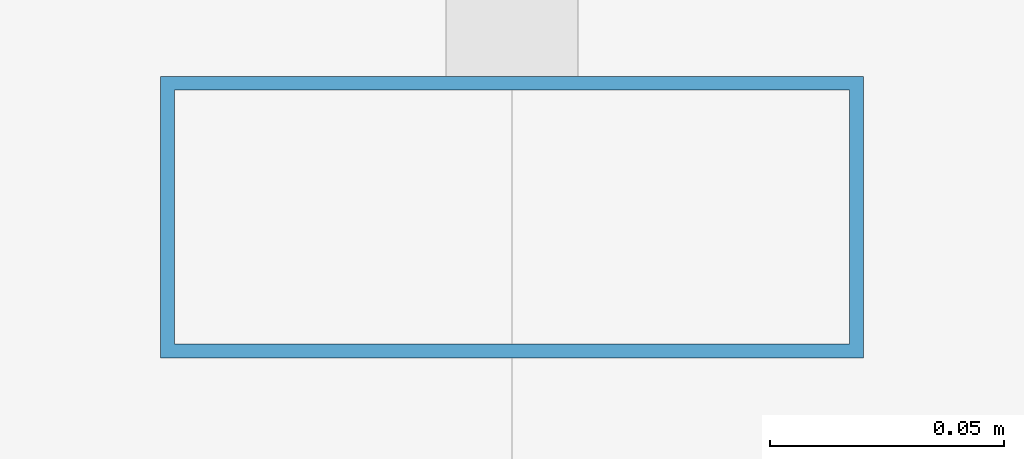
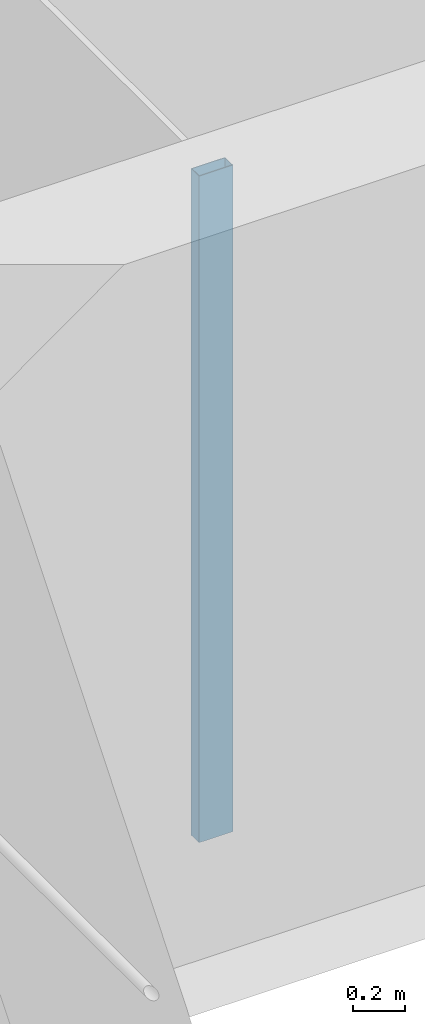
# One storey, part 11 of 40: 1 member, 1 element without a shape of its own.
"""IFC4 building model written with IfcOpenShell, lengths in metres."""

from ifc_helpers import new_model, si_unit, direction, frame, origin, origin_2d, place, context, subcontext, project, spatial, hollow_rectangle, extrude, material, material_profile, profile_set, type_object, element, aggregate, save


model = new_model("IFC4")

# Units and contexts
model_context = context("Model", 3, precision=1e-05, world=origin(), true_north=direction((0.0, 1.0)))
body_context = subcontext(model_context, "Body", "Model", "MODEL_VIEW")
ifc_project = project(units=[si_unit("LENGTHUNIT", "METRE"), si_unit("AREAUNIT", "SQUARE_METRE"), si_unit("VOLUMEUNIT", "CUBIC_METRE"), si_unit("PLANEANGLEUNIT", "RADIAN"), si_unit("MASSUNIT", "GRAM", prefix="KILO")], contexts=[model_context])

# Site, building, storey
site_placement = place(None, origin())
site = spatial("IfcSite", under=ifc_project, at=site_placement, CompositionType="ELEMENT")
building_placement = place(site_placement, origin())
building = spatial("IfcBuilding", under=site, at=building_placement, Name="Altepetl Exchange Towers", CompositionType="ELEMENT")
storey_placement = place(building_placement, frame((0.0, 0.0, 169.0)))
storey = spatial("IfcBuildingStorey", under=building, at=storey_placement, Name="L42", CompositionType="ELEMENT", Elevation=169.0)

# Curtain wall, member
ifc_material_1 = material(Name="Aluminium 6063-T6 glazing", Category="aluminium")
curtain_wall_type = type_object("IfcCurtainWallType", Name="Loggia glazing system", PredefinedType="NOTDEFINED", material=ifc_material_1)
curtain_wall_placement = place(storey_placement, origin())
curtain_wall = element("IfcCurtainWall", 1, at=curtain_wall_placement, inside=storey, type_object=curtain_wall_type, Name="CW1 run", PredefinedType="NOTDEFINED")
ifc_material_2 = material(Name="Aluminium 6063-T6", Category="aluminium")
ifc_material_profile = material_profile(ifc_material_2, hollow_rectangle(XDim=0.06005859375, YDim=0.14990234375, WallThickness=0.0029296875, at=origin_2d()), Name="Mullion 60x150 aluminium")
ifc_profile_set = profile_set([ifc_material_profile], Name="Aluminium 6063-T6")
member_type = type_object("IfcMemberType", Name="Mullion 60x150 aluminium", PredefinedType="MULLION", material=ifc_profile_set)
member_placement = place(storey_placement, frame((42.5, 58.60498046875, 0.0), z_axis=(0.0, 0.0, 1.0), x_axis=(0.0, -1.0, 0.0)))
member = element("IfcMember", 2, at=member_placement, type_object=member_type, Name="MU1 mullion", PredefinedType="MULLION", context=body_context, shape_type="SweptSolid", body=[
    extrude(hollow_rectangle(XDim=0.06005859375, YDim=0.14990234375, WallThickness=0.0029296875, at=origin_2d()), origin(), (0.0, 0.0, 1.0), 3.10009765625),
])
aggregate(curtain_wall, [member])

save(model, "model.ifc")
